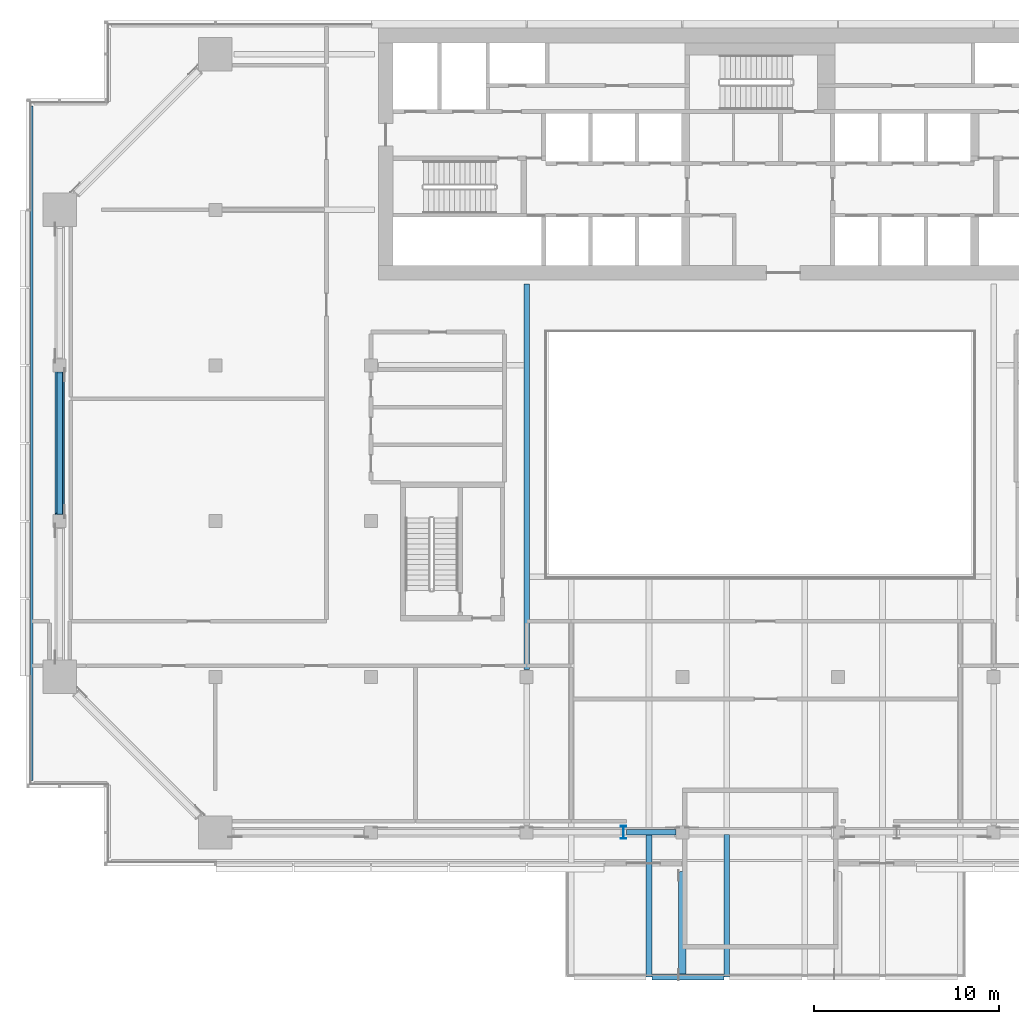
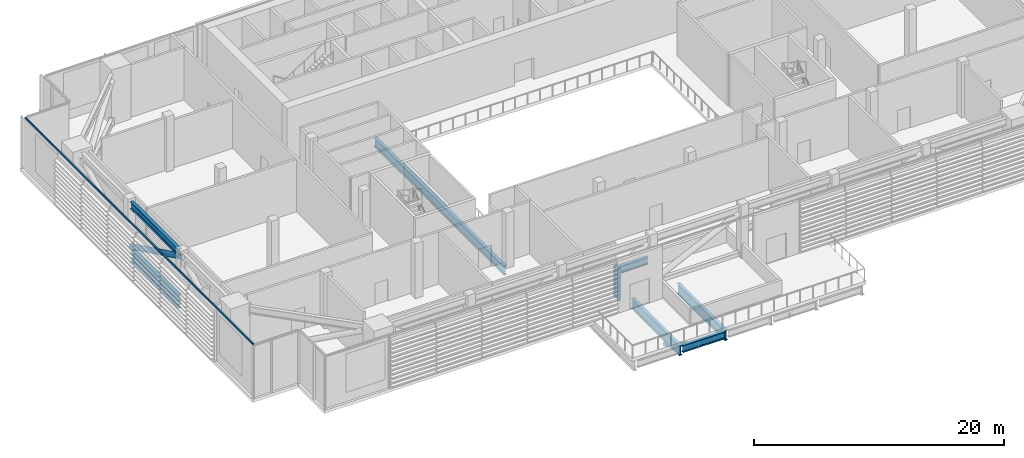
# One storey, part 3 of 29: 7 members, 5 beams, 1 element without a shape of its own.
"""IFC4 building model written with IfcOpenShell, lengths in metres."""

import ifcopenshell
import ifcopenshell.guid

model = None  # the IFC model being written
_history = None  # IfcOwnerHistory: only IFC2X3 demands one
_inside = {}  # id of a spatial element -> (the spatial element, [elements in it])
_under = {}  # id of a project, library or spatial element -> (it, [spatial elements below it])
_declared = {}  # id of a project -> (the project, [libraries it declares])
_typed = {}  # id of a type object -> (the type object, [elements of that type])
_made_of = {}  # id of a material, layer set ... -> (it, [elements and type objects made of it])


def new_model(schema):
    """Start an empty IFC model of exactly this schema.

    Asked for "IFC4X3", IfcOpenShell would pick the latest addendum, in which some entities
    have other attributes; the version numbers below select the first issue.
    IFC2X3 requires an IfcOwnerHistory on every rooted entity: one is made here for all.
    """
    global model, _history
    if schema == "IFC4X3":
        model = ifcopenshell.file(schema_version=(4, 3, 0, 0))
    else:
        model = ifcopenshell.file(schema=schema)
    _inside.clear()
    _under.clear()
    _declared.clear()
    _typed.clear()
    _made_of.clear()
    _history = None
    if model.schema == "IFC2X3":
        org = make("IfcOrganization", Name="unknown")
        user = make(
            "IfcPersonAndOrganization",
            ThePerson=make("IfcPerson", FamilyName="unknown"),
            TheOrganization=org,
        )
        app = make(
            "IfcApplication",
            ApplicationDeveloper=org,
            Version="unknown",
            ApplicationFullName="unknown",
            ApplicationIdentifier="unknown",
        )
        _history = make(
            "IfcOwnerHistory",
            OwningUser=user,
            OwningApplication=app,
            ChangeAction="ADDED",
            CreationDate=0,
        )
    return model


def make(cls, **values):
    """One entity of the class cls with the attributes given. An attribute that is None is left unset."""
    return model.create_entity(
        cls, **{name: value for name, value in values.items() if value is not None}
    )


def rooted(cls, **values):
    """An entity with a GlobalId (a new one), such as an element, a storey or a relation."""
    return make(cls, GlobalId=ifcopenshell.guid.new(), OwnerHistory=_history, **values)


def si_unit(unit_type, name, prefix=None):
    """IfcSIUnit, for example si_unit("LENGTHUNIT", "METRE", prefix="MILLI")."""
    return make("IfcSIUnit", UnitType=unit_type, Prefix=prefix, Name=name)


def assignment(units):
    """IfcUnitAssignment: the units of a project."""
    return None if units is None else make("IfcUnitAssignment", Units=units)


def point(xyz):
    """IfcCartesianPoint."""
    return None if xyz is None else make("IfcCartesianPoint", Coordinates=xyz)


def direction(xyz):
    """IfcDirection."""
    return None if xyz is None else make("IfcDirection", DirectionRatios=xyz)


def frame(location, z_axis=None, x_axis=None):
    """IfcAxis2Placement3D, a coordinate frame: its origin and axes. An axis left out is left unset."""
    return make(
        "IfcAxis2Placement3D",
        Location=point(location),
        Axis=direction(z_axis),
        RefDirection=direction(x_axis),
    )


def frame_2d(location, x_axis=None):
    """IfcAxis2Placement2D, a coordinate frame in the plane: its origin and x axis."""
    return make(
        "IfcAxis2Placement2D", Location=point(location), RefDirection=direction(x_axis)
    )


def origin():
    """The frame at (0, 0, 0) with its axes left unset."""
    return frame((0.0, 0.0, 0.0))


def origin_2d():
    """The frame at (0, 0) in the plane with its x axis left unset."""
    return frame_2d((0.0, 0.0))


def place(relative_to, where):
    """IfcLocalPlacement: puts the frame where relative to a parent placement (None: the world)."""
    return make(
        "IfcLocalPlacement", PlacementRelTo=relative_to, RelativePlacement=where
    )


def context(
    kind, dimensions, precision=None, world=None, true_north=None, identifier=None
):
    """IfcGeometricRepresentationContext, for example the 3D "Model" context."""
    return make(
        "IfcGeometricRepresentationContext",
        ContextIdentifier=identifier,
        ContextType=kind,
        CoordinateSpaceDimension=dimensions,
        Precision=precision,
        WorldCoordinateSystem=world,
        TrueNorth=true_north,
    )


def subcontext(parent, identifier, kind, view, scale=None):
    """IfcGeometricRepresentationSubContext, for example "Body" below "Model"."""
    return make(
        "IfcGeometricRepresentationSubContext",
        ContextIdentifier=identifier,
        ContextType=kind,
        ParentContext=parent,
        TargetScale=scale,
        TargetView=view,
    )


def project(units=None, contexts=None):
    """IfcProject with its units and contexts."""
    return rooted(
        "IfcProject",
        Name="project",
        RepresentationContexts=contexts,
        UnitsInContext=assignment(units),
    )


def spatial(cls, under=None, at=None, **own):
    """A site, building, storey or space (cls), placed at a placement, below another one or the project."""
    s = rooted(cls, ObjectPlacement=at, **own)
    if under is not None:
        _under.setdefault(under.id(), (under, []))[1].append(s)
    return s


def profile(cls, at=None, kind="AREA", **sizes):
    """A parametric profile (cls). Its sizes go by their IFC names, for example OverallWidth=200.0."""
    return make(cls, ProfileType=kind, Position=at, **sizes)


def rectangle(**sizes):
    """IfcRectangleProfileDef."""
    return profile("IfcRectangleProfileDef", **sizes)


def hollow_circle(**sizes):
    """IfcCircleHollowProfileDef."""
    return profile("IfcCircleHollowProfileDef", **sizes)


def i_section(**sizes):
    """IfcIShapeProfileDef."""
    return profile("IfcIShapeProfileDef", **sizes)


def extrude(swept, where, along, depth):
    """IfcExtrudedAreaSolid: the profile swept, set in the frame where, extruded along a direction by depth."""
    return make(
        "IfcExtrudedAreaSolid",
        SweptArea=swept,
        Position=where,
        ExtrudedDirection=direction(along),
        Depth=depth,
    )


def shape(context_of_items, identifier, shape_type, items):
    """IfcShapeRepresentation: the items that make up one representation, for example the "Body"."""
    return make(
        "IfcShapeRepresentation",
        ContextOfItems=context_of_items,
        RepresentationIdentifier=identifier,
        RepresentationType=shape_type,
        Items=items,
    )


def material(Name=None, Category=None):
    """IfcMaterial."""
    return make("IfcMaterial", Name=Name, Category=Category)


def material_profile(
    of_material, cross_section, Name=None, Category=None, Priority=None
):
    """IfcMaterialProfile: a cross section and its material."""
    return make(
        "IfcMaterialProfile",
        Name=Name,
        Material=of_material,
        Profile=cross_section,
        Priority=Priority,
        Category=Category,
    )


def profile_set(profiles, Name=None, composite=None):
    """IfcMaterialProfileSet."""
    return make(
        "IfcMaterialProfileSet",
        Name=Name,
        MaterialProfiles=profiles,
        CompositeProfile=composite,
    )


def made_of(thing, what):
    """Note that an element or type object is made of a material, layer set ...; save() writes the relation."""
    if what is not None:
        _made_of.setdefault(what.id(), (what, []))[1].append(thing)
    return thing


def type_object(cls, material=None, **own):
    """A type object (cls), such as IfcWallType, which elements share."""
    return made_of(rooted(cls, **own), material)


def element(
    cls,
    number,
    at=None,
    inside=None,
    cuts=None,
    type_object=None,
    material=None,
    context=None,
    identifier="Body",
    shape_type=None,
    held_by="IfcProductDefinitionShape",
    body=None,
    shapes=None,
    **own,
):
    """One element of the class cls, such as IfcWall. Its Tag is "e" and its number.

    at: its placement. inside: the storey or other place that contains it. cuts: it is an
    opening in that element (IfcRelVoidsElement). A single representation is given by context,
    identifier, shape_type and body (its items); several are given by shapes. held_by: the class
    of the entity that holds the representations. save() writes the other relations.
    """
    e = rooted(cls, Tag="e%d" % number, ObjectPlacement=at, **own)
    if body is not None:
        shapes = [shape(context, identifier, shape_type, body)]
    if shapes is not None:
        e.Representation = make(held_by, Representations=shapes)
    if inside is not None:
        _inside.setdefault(inside.id(), (inside, []))[1].append(e)
    if cuts is not None:
        rooted(
            "IfcRelVoidsElement", RelatingBuildingElement=cuts, RelatedOpeningElement=e
        )
    if type_object is not None:
        _typed.setdefault(type_object.id(), (type_object, []))[1].append(e)
    return made_of(e, material)


def aggregate(whole, parts):
    """IfcRelAggregates: a whole, such as a stair, and the parts it consists of."""
    return rooted("IfcRelAggregates", RelatingObject=whole, RelatedObjects=parts)


def save(model, path):
    """Write the relations noted so far, then the file.

    IfcRelAggregates (storeys below a building ...), IfcRelContainedInSpatialStructure (elements
    in a storey), IfcRelDefinesByType, IfcRelAssociatesMaterial and IfcRelDeclares: one each for
    every whole, place, type object, material and project.
    """
    for whole, parts in _under.values():
        aggregate(whole, parts)
    for where, things in _inside.values():
        rooted(
            "IfcRelContainedInSpatialStructure",
            RelatedElements=things,
            RelatingStructure=where,
        )
    for kind, things in _typed.values():
        rooted("IfcRelDefinesByType", RelatedObjects=things, RelatingType=kind)
    for what, things in _made_of.values():
        rooted("IfcRelAssociatesMaterial", RelatedObjects=things, RelatingMaterial=what)
    for by, libraries in _declared.values():
        rooted("IfcRelDeclares", RelatingContext=by, RelatedDefinitions=libraries)
    model.write(path)


model = new_model("IFC4")

# Units and contexts
model_context = context("Model", 3, precision=1e-05, world=origin(), true_north=direction((0.0, 1.0)))
body_context = subcontext(model_context, "Body", "Model", "MODEL_VIEW")
ifc_project = project(units=[si_unit("LENGTHUNIT", "METRE"), si_unit("AREAUNIT", "SQUARE_METRE"), si_unit("VOLUMEUNIT", "CUBIC_METRE"), si_unit("PLANEANGLEUNIT", "RADIAN"), si_unit("MASSUNIT", "GRAM", prefix="KILO")], contexts=[model_context])

# Site, building, storey
site_placement = place(None, origin())
site = spatial("IfcSite", under=ifc_project, at=site_placement, CompositionType="ELEMENT")
building_placement = place(site_placement, origin())
building = spatial("IfcBuilding", under=site, at=building_placement, Name="Saffron Gate Tower", CompositionType="ELEMENT")
storey_placement = place(building_placement, frame((0.0, 0.0, 142.050048828125)))
storey = spatial("IfcBuildingStorey", under=building, at=storey_placement, Name="L34", CompositionType="ELEMENT", Elevation=142.050048828125)

# Beams
ifc_material_1 = material(Name="Structural steel S355", Category="steel")
ifc_material_profile_1 = material_profile(ifc_material_1, i_section(OverallWidth=0.300048828125, OverallDepth=0.68994140625, WebThickness=0.014404296875, FlangeThickness=0.027099609375, FilletRadius=0.027099609375, at=origin_2d()))
ifc_profile_set_1 = profile_set([ifc_material_profile_1], Name="Structural steel S355")
beam_type_1 = type_object("IfcBeamType", Name="B17 HEA 700", PredefinedType="BEAM", material=ifc_profile_set_1)
beam_1_placement = place(storey_placement, frame((81.75, 24.0, -0.64501953125), z_axis=(1.0, 0.0, 0.0), x_axis=(0.0, 1.0, 0.0)))
element("IfcBeam", 1, at=beam_1_placement, inside=storey, type_object=beam_type_1, Name="B17 POOL EDGE BEAM", PredefinedType="BEAM", context=body_context, shape_type="SweptSolid", body=[
    extrude(i_section(OverallWidth=0.300048828125, OverallDepth=0.68994140625, WebThickness=0.014404296875, FlangeThickness=0.027099609375, FilletRadius=0.027099609375, at=origin_2d()), origin(), (0.0, 0.0, 1.0), 3.89990234375),
])
ifc_material_profile_2 = material_profile(ifc_material_1, i_section(OverallWidth=0.300048828125, OverallDepth=0.889892578125, WebThickness=0.01611328125, FlangeThickness=0.030029296875, FilletRadius=0.030029296875, at=origin_2d()))
ifc_profile_set_2 = profile_set([ifc_material_profile_2], Name="Structural steel S355")
beam_type_2 = type_object("IfcBeamType", Name="B19 HEA 900", PredefinedType="BEAM", material=ifc_profile_set_2)
beam_2_placement = place(storey_placement, frame((75.0, 40.60009765625, -0.7451171875), z_axis=(0.0, 1.0, 0.0), x_axis=(-1.0, 0.0, 0.0)))
element("IfcBeam", 2, at=beam_2_placement, inside=storey, type_object=beam_type_2, Name="B19 ATRIUM GIRDER", PredefinedType="BEAM", context=body_context, shape_type="SweptSolid", body=[
    extrude(i_section(OverallWidth=0.300048828125, OverallDepth=0.889892578125, WebThickness=0.01611328125, FlangeThickness=0.030029296875, FilletRadius=0.030029296875, at=origin_2d()), origin(), (0.0, 0.0, 1.0), 20.7998046875),
])
ifc_material_profile_3 = material_profile(ifc_material_1, i_section(OverallWidth=0.300048828125, OverallDepth=0.39990234375, WebThickness=0.013427734375, FlangeThickness=0.02392578125, FilletRadius=0.027099609375, at=origin_2d()))
ifc_profile_set_3 = profile_set([ifc_material_profile_3], Name="Structural steel S355")
beam_type_3 = type_object("IfcBeamType", Name="B3 HEB 400", PredefinedType="SPANDREL", material=ifc_profile_set_3)
beam_3_placement = place(storey_placement, frame((49.800048828125, 49.0, -0.5), z_axis=(0.0, 1.0, 0.0), x_axis=(-1.0, 0.0, 0.0)))
element("IfcBeam", 3, at=beam_3_placement, inside=storey, type_object=beam_type_3, Name="B3 SPANDREL BEAM", PredefinedType="SPANDREL", context=body_context, shape_type="SweptSolid", body=[
    extrude(i_section(OverallWidth=0.300048828125, OverallDepth=0.39990234375, WebThickness=0.013427734375, FlangeThickness=0.02392578125, FilletRadius=0.027099609375, at=origin_2d()), origin(), (0.0, 0.0, 1.0), 7.60009765625),
])

# Members
ifc_material_profile_4 = material_profile(ifc_material_1, i_section(OverallWidth=0.300048828125, OverallDepth=0.699951171875, WebThickness=0.01708984375, FlangeThickness=0.031982421875, FilletRadius=0.027099609375, at=origin_2d()))
ifc_profile_set_4 = profile_set([ifc_material_profile_4], Name="Structural steel S355")
member_type_1 = type_object("IfcMemberType", Name="BT1 HEB 700", PredefinedType="CHORD", material=ifc_profile_set_4)
for number, where, z_axis, x_axis, name in (
    (4, (49.800048828125, 48.949951171875, 4.77001953125), (0.0, 1.0, 0.0), (-1.0, 0.0, 0.0), "BT1 BELT TRUSS TOP CHORD"),
    (5, (49.800048828125, 48.949951171875, 0.349853515625), (0.0, 1.0, 0.0), (-1.0, 0.0, 0.0), "BT1 BELT TRUSS BOTTOM CHORD"),
):
    element("IfcMember", number, at=place(storey_placement, frame(where, z_axis=z_axis, x_axis=x_axis)), inside=storey, type_object=member_type_1, Name=name, PredefinedType="CHORD", context=body_context, shape_type="SweptSolid", body=[
        extrude(i_section(OverallWidth=0.300048828125, OverallDepth=0.699951171875, WebThickness=0.01708984375, FlangeThickness=0.031982421875, FilletRadius=0.027099609375, at=origin_2d()), origin(), (0.0, 0.0, 1.0), 7.699951171875),
    ])
member_1_placement = place(storey_placement, frame((80.3798828125, 31.800048828125, 2.800048828125), z_axis=(1.0, 0.0, 0.0), x_axis=(0.0, 1.0, 0.0)))
element("IfcMember", 6, at=member_1_placement, inside=storey, type_object=member_type_1, Name="BT1 BELT TRUSS DOOR LINTEL", PredefinedType="CHORD", context=body_context, shape_type="SweptSolid", body=[
    extrude(i_section(OverallWidth=0.300048828125, OverallDepth=0.699951171875, WebThickness=0.01708984375, FlangeThickness=0.031982421875, FilletRadius=0.027099609375, at=origin_2d()), origin(), (0.0, 0.0, 1.0), 2.670166015625),
])
member_2_placement = place(storey_placement, frame((80.22998046875, 31.800048828125, 0.0), z_axis=(0.0, 0.0, 1.0), x_axis=(1.0, 0.0, 0.0)))
element("IfcMember", 7, at=member_2_placement, inside=storey, type_object=member_type_1, Name="BT1 BELT TRUSS DOOR JAMB POST", PredefinedType="CHORD", context=body_context, shape_type="SweptSolid", body=[
    extrude(i_section(OverallWidth=0.300048828125, OverallDepth=0.699951171875, WebThickness=0.01708984375, FlangeThickness=0.031982421875, FilletRadius=0.027099609375, at=origin_2d()), origin(), (0.0, 0.0, 1.0), 3.14990234375),
])
ifc_material_profile_5 = material_profile(ifc_material_1, hollow_circle(Radius=0.25390625, WallThickness=0.01611328125, at=origin_2d()))
ifc_profile_set_5 = profile_set([ifc_material_profile_5], Name="Structural steel S355")
member_type_2 = type_object("IfcMemberType", Name="BT5 CHS 508x16", PredefinedType="BRACE", material=ifc_profile_set_5)
member_3_placement = place(storey_placement, frame((49.800048828125, 56.64990234375, 0.699951171875), z_axis=(0.0, -0.900425561848, 0.435010123526), x_axis=(1.0, 0.0, 0.0)))
element("IfcMember", 8, at=member_3_placement, inside=storey, type_object=member_type_2, Name="BT5 BELT TRUSS DIAGONAL", PredefinedType="BRACE", context=body_context, shape_type="SweptSolid", body=[
    extrude(hollow_circle(Radius=0.25390625, WallThickness=0.01611328125, at=origin_2d()), origin(), (0.0, 0.0, 1.0), 8.551513671875),
])

# Curtain wall, member
ifc_material_2 = material(Name="Aluminium, bronze anodised", Category="aluminium")
curtain_wall_type = type_object("IfcCurtainWallType", Name="CWS6 curtain wall tall storeys", PredefinedType="NOTDEFINED", material=ifc_material_2)
curtain_wall_placement = place(storey_placement, origin())
curtain_wall = element("IfcCurtainWall", 9, at=curtain_wall_placement, inside=storey, type_object=curtain_wall_type, Name="CWS6 run 10", PredefinedType="NOTDEFINED")
ifc_material_profile_6 = material_profile(ifc_material_2, rectangle(XDim=0.1201171875, YDim=0.1201171875, at=origin_2d()))
ifc_profile_set_6 = profile_set([ifc_material_profile_6], Name="Aluminium, bronze anodised")
member_type_3 = type_object("IfcMemberType", Name="CWS6 head transom", PredefinedType="USERDEFINED", material=ifc_profile_set_6)
member_4_placement = place(storey_placement, frame((48.2880859375, 70.991943359375, 5.06005859375), z_axis=(0.0, -1.0, 0.0), x_axis=(1.0, 0.0, 0.0)))
member_4 = element("IfcMember", 10, at=member_4_placement, type_object=member_type_3, Name="CWS6 head transom", ObjectType="TRANSOM", PredefinedType="USERDEFINED", context=body_context, shape_type="SweptSolid", body=[
    extrude(rectangle(XDim=0.1201171875, YDim=0.1201171875, at=origin_2d()), origin(), (0.0, 0.0, 1.0), 36.384033203125),
])
aggregate(curtain_wall, [member_4])

# Beams
ifc_material_profile_7 = material_profile(ifc_material_1, i_section(OverallWidth=0.300048828125, OverallDepth=0.989990234375, WebThickness=0.0166015625, FlangeThickness=0.031005859375, FilletRadius=0.030029296875, at=origin_2d()))
ifc_profile_set_7 = profile_set([ifc_material_profile_7], Name="Structural steel S355")
beam_type_4 = type_object("IfcBeamType", Name="PB1 HEA 1000 POOL CANTILEVER", PredefinedType="BEAM", material=ifc_profile_set_7)
for number, where, z_axis, x_axis, name in (
    (11, (81.60009765625, 24.0, -0.795166015625), (0.0, 1.0, 0.0), (-1.0, 0.0, 0.0), "PB1 POOL CANTILEVER BEAM"),
    (12, (85.800048828125, 24.0, -0.795166015625), (0.0, 1.0, 0.0), (-1.0, 0.0, 0.0), "PB1 POOL CANTILEVER BEAM"),
):
    element("IfcBeam", number, at=place(storey_placement, frame(where, z_axis=z_axis, x_axis=x_axis)), inside=storey, type_object=beam_type_4, Name=name, PredefinedType="BEAM", context=body_context, shape_type="SweptSolid", body=[
        extrude(i_section(OverallWidth=0.300048828125, OverallDepth=0.989990234375, WebThickness=0.0166015625, FlangeThickness=0.031005859375, FilletRadius=0.030029296875, at=origin_2d()), origin(), (0.0, 0.0, 1.0), 7.695068359375),
    ])

# Member
ifc_material_profile_8 = material_profile(ifc_material_1, hollow_circle(Radius=0.203125, WallThickness=0.01611328125, at=origin_2d()))
ifc_profile_set_8 = profile_set([ifc_material_profile_8], Name="Structural steel S355")
member_type_4 = type_object("IfcMemberType", Name="PX1 CHS 406.4x16", PredefinedType="BRACE", material=ifc_profile_set_8)
member_5_placement = place(storey_placement, frame((83.39990234375, 24.0, -0.7900390625), z_axis=(0.0, 0.85550573035, -0.517793342309), x_axis=(-1.0, 0.0, 0.0)))
element("IfcMember", 13, at=member_5_placement, inside=storey, type_object=member_type_4, Name="PX1 POOL TIP STRUT", PredefinedType="BRACE", context=body_context, shape_type="SweptSolid", body=[
    extrude(hollow_circle(Radius=0.203125, WallThickness=0.01611328125, at=origin_2d()), origin(), (0.0, 0.0, 1.0), 6.546875),
])

save(model, "model.ifc")
